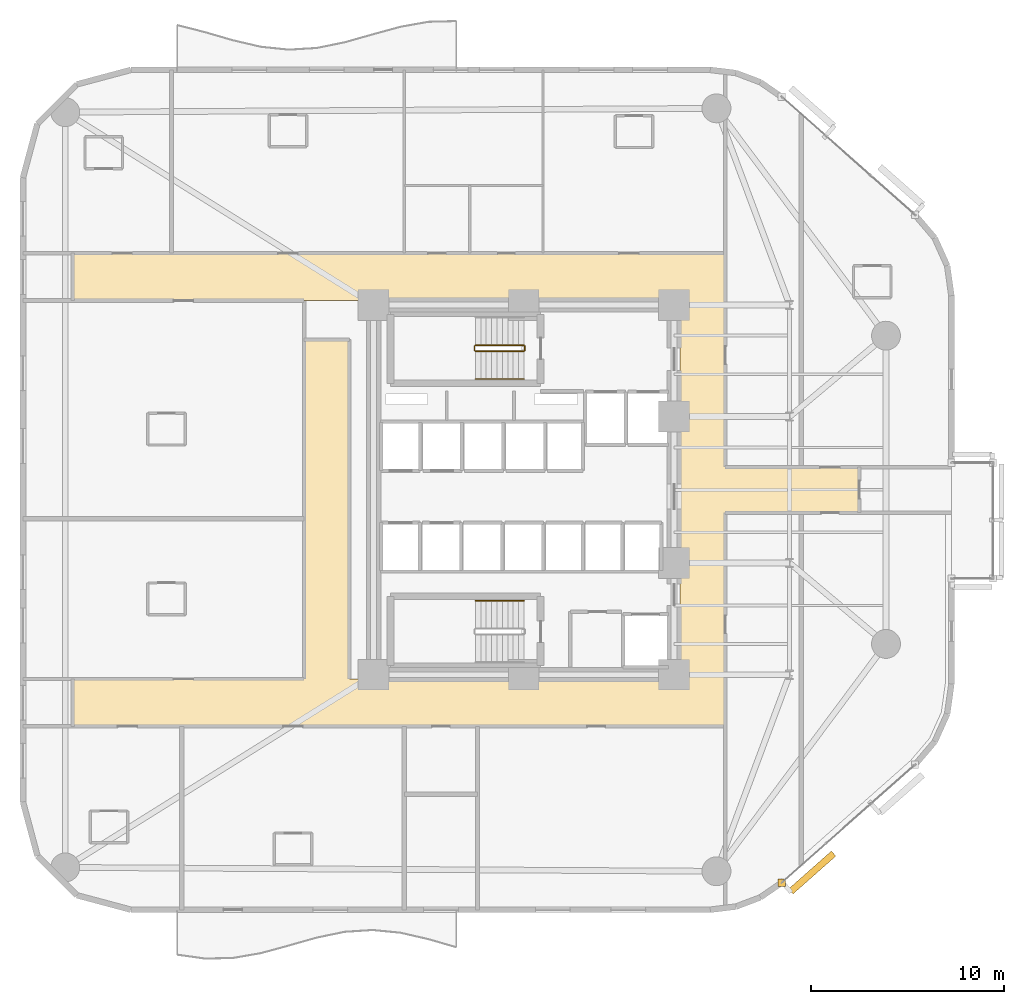
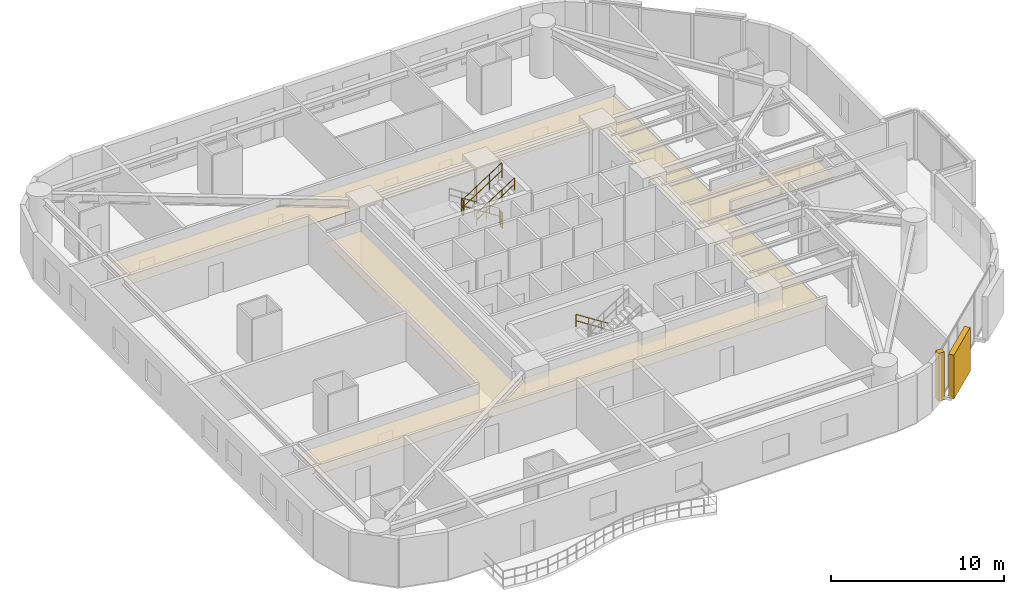
# One storey, part 16 of 17: 6 railings, 2 coverings, 1 shading device.
"""IFC4 building model written with IfcOpenShell, lengths in metres."""

from ifc_helpers import new_model, si_unit, direction, frame, origin, origin_2d, place, context, subcontext, project, spatial, polyline, rectangle, circle, outline, extrude, material, layer, layer_set, type_object, element, save


model = new_model("IFC4")

# Units and contexts
model_context = context("Model", 3, precision=1e-05, world=origin(), true_north=direction((0.0, 1.0)))
body_context = subcontext(model_context, "Body", "Model", "MODEL_VIEW")
ifc_project = project(units=[si_unit("LENGTHUNIT", "METRE"), si_unit("AREAUNIT", "SQUARE_METRE"), si_unit("VOLUMEUNIT", "CUBIC_METRE"), si_unit("PLANEANGLEUNIT", "RADIAN"), si_unit("MASSUNIT", "GRAM", prefix="KILO")], contexts=[model_context])

# Site, building, storey
site_placement = place(None, origin())
site = spatial("IfcSite", under=ifc_project, at=site_placement, CompositionType="ELEMENT")
building_placement = place(site_placement, origin())
building = spatial("IfcBuilding", under=site, at=building_placement, Name="An Khanh Terracotta Commons", CompositionType="ELEMENT")
storey_placement = place(building_placement, frame((0.0, 0.0, 36.0)))
storey = spatial("IfcBuildingStorey", under=building, at=storey_placement, Name="L09", CompositionType="ELEMENT", Elevation=36.0)

# Coverings
ifc_material_1 = material(Name="Perforated Mineral-Fibre Acoustic Tile")
ifc_layer_1 = layer(ifc_material_1, 0.02001953125, Name="Perforated Mineral-Fibre Acoustic Tile")
ifc_layer_set_1 = layer_set([ifc_layer_1], Name="Perforated Mineral-Fibre Acoustic Tile")
covering_type_1 = type_object("IfcCoveringType", Name="CEIL-ACOUSTIC-18", PredefinedType="CEILING", material=ifc_layer_set_1)
covering_1_placement = place(storey_placement, frame((0.0, 0.0, 2.64990234375)))
element("IfcCovering", 1, at=covering_1_placement, inside=storey, type_object=covering_type_1, Name="L09 Corridor Ceiling", PredefinedType="CEILING", context=body_context, shape_type="SweptSolid", body=[
    extrude(outline(polyline([(37.5, 11.719970703125), (6.0, 11.719970703125), (6.0, 14.179931640625), (18.0, 14.179931640625), (18.0, 31.800048828125), (20.35009765625, 31.800048828125), (20.35009765625, 14.179931640625), (37.5, 14.179931640625), (37.5, 33.820068359375), (6.0, 33.820068359375), (6.0, 36.280029296875), (37.5, 36.280029296875), (39.85009765625, 36.280029296875), (39.85009765625, 33.820068359375), (39.85009765625, 25.179931640625), (46.800048828125, 25.179931640625), (46.800048828125, 22.820068359375), (39.85009765625, 22.820068359375), (39.85009765625, 14.179931640625), (39.85009765625, 11.719970703125), (37.5, 11.719970703125)])), origin(), (0.0, 0.0, 1.0), 0.02001953125),
])
ifc_material_2 = material(Name="Fired Terracotta Rainscreen Cladding", Category="masonry")
ifc_layer_2 = layer(ifc_material_2, 0.080078125, Name="Fired Terracotta Rainscreen Cladding")
ifc_layer_set_2 = layer_set([ifc_layer_2], Name="Fired Terracotta Rainscreen Cladding")
covering_type_2 = type_object("IfcCoveringType", Name="COV-JAMB-TERRA", PredefinedType="CLADDING", material=ifc_layer_set_2)
covering_2_placement = place(storey_placement, frame((42.7890625, 3.60595703125, 0.0), z_axis=(0.0, 0.0, 1.0), x_axis=(1.0, 0.0, 0.0)))
element("IfcCovering", 2, at=covering_2_placement, inside=storey, type_object=covering_type_2, Name="L09 CW-02 Curtain-Wall Jamb Closure JA", PredefinedType="CLADDING", context=body_context, shape_type="SweptSolid", body=[
    extrude(rectangle(XDim=0.3798828125, YDim=0.3798828125, at=origin_2d()), origin(), (0.0, 0.0, 1.0), 3.39990234375),
])

# Railings
ifc_material_3 = material(Name="Brushed Stainless Steel 316", Category="steel")
railing_type_1 = type_object("IfcRailingType", Name="RAIL-HANDRAIL-900", PredefinedType="HANDRAIL", material=ifc_material_3)
railing_1_placement = place(storey_placement, frame((26.889892578125, 29.75, 1.97998046875)))
element("IfcRailing", 3, at=railing_1_placement, inside=storey, type_object=railing_type_1, Name="L09 ST-01 stair handrail 2", PredefinedType="HANDRAIL", context=body_context, shape_type="SweptSolid", body=[
    extrude(circle(Radius=0.02392578125, at=origin_2d()), frame((0.0, 0.0, 0.8759765625), z_axis=(0.841162588446, 0.0, 0.540782303519), x_axis=(0.0, 1.0, 0.0)), (0.0, 0.0, 1.0), 2.995849609375),
    extrude(circle(Radius=0.02392578125, at=origin_2d()), frame((0.0, 0.0, 0.42578125), z_axis=(0.841162588446, 0.0, 0.540782303519), x_axis=(0.0, 1.0, 0.0)), (0.0, 0.0, 1.0), 2.995849609375),
    extrude(circle(Radius=0.02099609375, at=origin_2d()), origin(), (0.0, 0.0, 1.0), 0.851806640625),
    extrude(circle(Radius=0.02099609375, at=origin_2d()), frame((0.840087890625, 0.0, 0.5400390625)), (0.0, 0.0, 1.0), 0.851806640625),
    extrude(circle(Radius=0.02099609375, at=origin_2d()), frame((1.679931640625, 0.0, 1.080078125)), (0.0, 0.0, 1.0), 0.851806640625),
    extrude(circle(Radius=0.02099609375, at=origin_2d()), frame((2.52001953125, 0.0, 1.6201171875)), (0.0, 0.0, 1.0), 0.851806640625),
])
railing_2_placement = place(storey_placement, frame((29.409912109375, 18.25, 0.179931640625)))
element("IfcRailing", 4, at=railing_2_placement, inside=storey, type_object=railing_type_1, Name="L09 ST-02 stair handrail 1", PredefinedType="HANDRAIL", context=body_context, shape_type="SweptSolid", body=[
    extrude(circle(Radius=0.02392578125, at=origin_2d()), frame((0.0, 0.0, 0.8759765625), z_axis=(-0.841162588446, 0.0, 0.540782303519), x_axis=(0.0, -1.0, 0.0)), (0.0, 0.0, 1.0), 2.995849609375),
    extrude(circle(Radius=0.02392578125, at=origin_2d()), frame((0.0, 0.0, 0.42578125), z_axis=(-0.841162588446, 0.0, 0.540782303519), x_axis=(0.0, -1.0, 0.0)), (0.0, 0.0, 1.0), 2.995849609375),
    extrude(circle(Radius=0.02099609375, at=origin_2d()), origin(), (0.0, 0.0, 1.0), 0.851806640625),
    extrude(circle(Radius=0.02099609375, at=origin_2d()), frame((-0.840087890625, 0.0, 0.5400390625)), (0.0, 0.0, 1.0), 0.851806640625),
    extrude(circle(Radius=0.02099609375, at=origin_2d()), frame((-1.679931640625, 0.0, 1.080078125)), (0.0, 0.0, 1.0), 0.851806640625),
    extrude(circle(Radius=0.02099609375, at=origin_2d()), frame((-2.52001953125, 0.0, 1.6201171875)), (0.0, 0.0, 1.0), 0.851806640625),
])
ifc_material_4 = material(Name="Powder-Coated Steel S355J2", Category="steel")
railing_type_2 = type_object("IfcRailingType", Name="RAIL-STAIR-GUARD-1100", PredefinedType="BALUSTRADE", material=ifc_material_4)
railing_3_placement = place(storey_placement, frame((29.409912109375, 31.5, 0.179931640625)))
element("IfcRailing", 5, at=railing_3_placement, inside=storey, type_object=railing_type_2, Name="L09 ST-01 stair guard 1", PredefinedType="BALUSTRADE", context=body_context, shape_type="SweptSolid", body=[
    extrude(circle(Radius=0.02392578125, at=origin_2d()), frame((0.0, 0.0, 1.076171875), z_axis=(-0.841162588446, 0.0, 0.540782303519), x_axis=(0.0, -1.0, 0.0)), (0.0, 0.0, 1.0), 2.995849609375),
    extrude(circle(Radius=0.02392578125, at=origin_2d()), frame((0.0, 0.0, 0.52587890625), z_axis=(-0.841162588446, 0.0, 0.540782303519), x_axis=(0.0, -1.0, 0.0)), (0.0, 0.0, 1.0), 2.995849609375),
    extrude(circle(Radius=0.02099609375, at=origin_2d()), origin(), (0.0, 0.0, 1.0), 1.052001953125),
    extrude(circle(Radius=0.02099609375, at=origin_2d()), frame((-0.840087890625, 0.0, 0.5400390625)), (0.0, 0.0, 1.0), 1.052001953125),
    extrude(circle(Radius=0.02099609375, at=origin_2d()), frame((-1.679931640625, 0.0, 1.080078125)), (0.0, 0.0, 1.0), 1.052001953125),
    extrude(circle(Radius=0.02099609375, at=origin_2d()), frame((-2.52001953125, 0.0, 1.6201171875)), (0.0, 0.0, 1.0), 1.052001953125),
])
railing_4_placement = place(storey_placement, frame((26.840087890625, 31.449951171875, 1.800048828125)))
element("IfcRailing", 6, at=railing_4_placement, inside=storey, type_object=railing_type_2, Name="L09 ST-01 stair guard 2", PredefinedType="BALUSTRADE", context=body_context, shape_type="SweptSolid", body=[
    extrude(circle(Radius=0.02392578125, at=origin_2d()), frame((0.0, 0.0, 1.076171875), z_axis=(0.0, -1.0, 0.0), x_axis=(1.0, 0.0, 0.0)), (0.0, 0.0, 1.0), 0.199951171875),
    extrude(circle(Radius=0.02392578125, at=origin_2d()), frame((0.0, 0.0, 0.52587890625), z_axis=(0.0, -1.0, 0.0), x_axis=(1.0, 0.0, 0.0)), (0.0, 0.0, 1.0), 0.199951171875),
    extrude(circle(Radius=0.02099609375, at=origin_2d()), origin(), (0.0, 0.0, 1.0), 1.052001953125),
    extrude(circle(Radius=0.02099609375, at=origin_2d()), frame((0.0, -0.199951171875, 0.0)), (0.0, 0.0, 1.0), 1.052001953125),
])
railing_5_placement = place(storey_placement, frame((26.889892578125, 31.199951171875, 1.97998046875)))
element("IfcRailing", 7, at=railing_5_placement, inside=storey, type_object=railing_type_2, Name="L09 ST-01 stair guard 3", PredefinedType="BALUSTRADE", context=body_context, shape_type="SweptSolid", body=[
    extrude(circle(Radius=0.02392578125, at=origin_2d()), frame((0.0, 0.0, 1.076171875), z_axis=(0.841162588446, 0.0, 0.540782303519), x_axis=(0.0, 1.0, 0.0)), (0.0, 0.0, 1.0), 2.995849609375),
    extrude(circle(Radius=0.02392578125, at=origin_2d()), frame((0.0, 0.0, 0.52587890625), z_axis=(0.841162588446, 0.0, 0.540782303519), x_axis=(0.0, 1.0, 0.0)), (0.0, 0.0, 1.0), 2.995849609375),
    extrude(circle(Radius=0.02099609375, at=origin_2d()), origin(), (0.0, 0.0, 1.0), 1.052001953125),
    extrude(circle(Radius=0.02099609375, at=origin_2d()), frame((0.840087890625, 0.0, 0.5400390625)), (0.0, 0.0, 1.0), 1.052001953125),
    extrude(circle(Radius=0.02099609375, at=origin_2d()), frame((1.679931640625, 0.0, 1.080078125)), (0.0, 0.0, 1.0), 1.052001953125),
    extrude(circle(Radius=0.02099609375, at=origin_2d()), frame((2.52001953125, 0.0, 1.6201171875)), (0.0, 0.0, 1.0), 1.052001953125),
])
railing_6_placement = place(storey_placement, frame((29.4599609375, 31.449951171875, 0.0)))
element("IfcRailing", 8, at=railing_6_placement, inside=storey, type_object=railing_type_2, Name="L09 ST-01 stair guard 4", PredefinedType="BALUSTRADE", context=body_context, shape_type="SweptSolid", body=[
    extrude(circle(Radius=0.02392578125, at=origin_2d()), frame((0.0, 0.0, 1.076171875), z_axis=(0.0, -1.0, 0.0), x_axis=(1.0, 0.0, 0.0)), (0.0, 0.0, 1.0), 0.199951171875),
    extrude(circle(Radius=0.02392578125, at=origin_2d()), frame((0.0, 0.0, 0.52587890625), z_axis=(0.0, -1.0, 0.0), x_axis=(1.0, 0.0, 0.0)), (0.0, 0.0, 1.0), 0.199951171875),
    extrude(circle(Radius=0.02099609375, at=origin_2d()), origin(), (0.0, 0.0, 1.0), 1.052001953125),
    extrude(circle(Radius=0.02099609375, at=origin_2d()), frame((0.0, -0.199951171875, 0.0)), (0.0, 0.0, 1.0), 1.052001953125),
])

# Shading device
ifc_material_5 = material(Name="Extruded Fired Terracotta", Category="masonry")
shading_device_type = type_object("IfcShadingDeviceType", Name="Terracotta Baguette Screen Assembly", PredefinedType="USERDEFINED", material=ifc_material_5)
shading_device_placement = place(storey_placement, frame((44.373046875, 4.138916015625, 0.14990234375), z_axis=(0.0, 0.0, 1.0), x_axis=(0.749019284633, 0.662548195415, 0.0)))
element("IfcShadingDevice", 9, at=shading_device_placement, inside=storey, type_object=shading_device_type, Name="L09 Terracotta Baguette Screen 1", ObjectType="BAGUETTE", PredefinedType="USERDEFINED", context=body_context, shape_type="SweptSolid", body=[
    extrude(rectangle(XDim=2.9599609375, YDim=0.35009765625, at=origin_2d()), origin(), (0.0, 0.0, 1.0), 3.10009765625),
])

save(model, "model.ifc")
